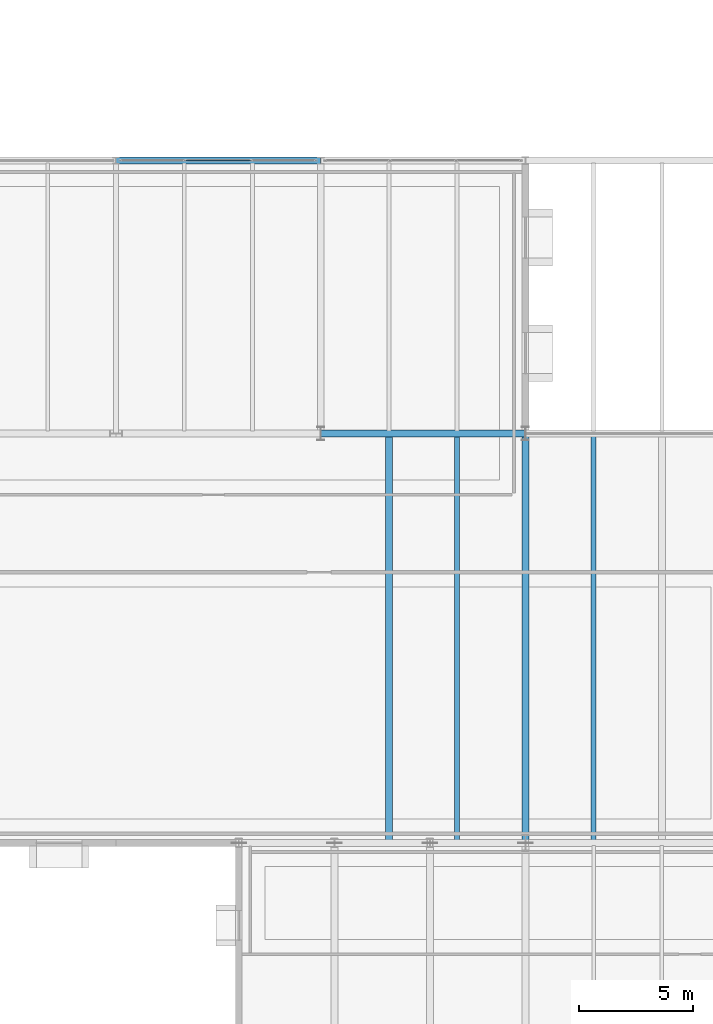
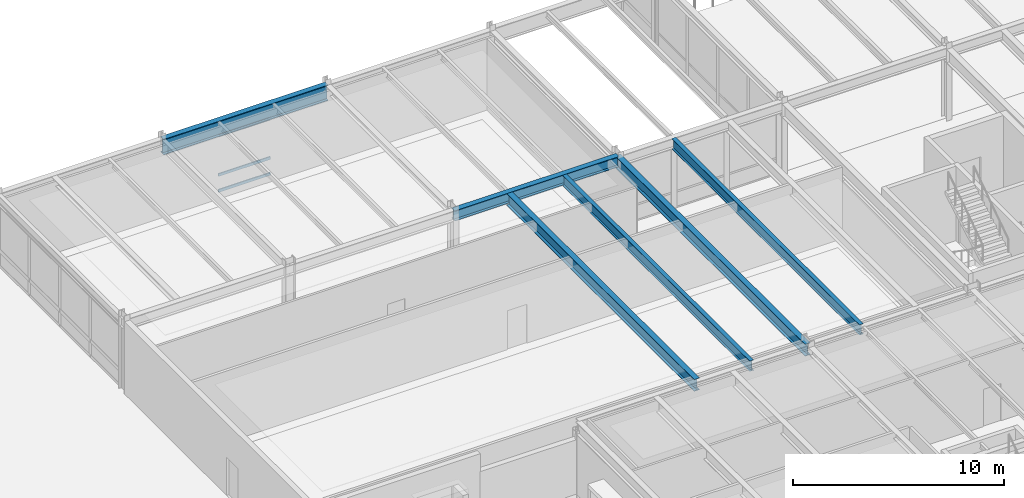
# One storey, part 24 of 127: 6 beams, 3 members, 1 element without a shape of its own.
"""IFC4 building model written with IfcOpenShell, lengths in metres."""

import ifcopenshell
import ifcopenshell.guid

model = None  # the IFC model being written
_history = None  # IfcOwnerHistory: only IFC2X3 demands one
_inside = {}  # id of a spatial element -> (the spatial element, [elements in it])
_under = {}  # id of a project, library or spatial element -> (it, [spatial elements below it])
_declared = {}  # id of a project -> (the project, [libraries it declares])
_typed = {}  # id of a type object -> (the type object, [elements of that type])
_made_of = {}  # id of a material, layer set ... -> (it, [elements and type objects made of it])


def new_model(schema):
    """Start an empty IFC model of exactly this schema.

    Asked for "IFC4X3", IfcOpenShell would pick the latest addendum, in which some entities
    have other attributes; the version numbers below select the first issue.
    IFC2X3 requires an IfcOwnerHistory on every rooted entity: one is made here for all.
    """
    global model, _history
    if schema == "IFC4X3":
        model = ifcopenshell.file(schema_version=(4, 3, 0, 0))
    else:
        model = ifcopenshell.file(schema=schema)
    _inside.clear()
    _under.clear()
    _declared.clear()
    _typed.clear()
    _made_of.clear()
    _history = None
    if model.schema == "IFC2X3":
        org = make("IfcOrganization", Name="unknown")
        user = make(
            "IfcPersonAndOrganization",
            ThePerson=make("IfcPerson", FamilyName="unknown"),
            TheOrganization=org,
        )
        app = make(
            "IfcApplication",
            ApplicationDeveloper=org,
            Version="unknown",
            ApplicationFullName="unknown",
            ApplicationIdentifier="unknown",
        )
        _history = make(
            "IfcOwnerHistory",
            OwningUser=user,
            OwningApplication=app,
            ChangeAction="ADDED",
            CreationDate=0,
        )
    return model


def make(cls, **values):
    """One entity of the class cls with the attributes given. An attribute that is None is left unset."""
    return model.create_entity(
        cls, **{name: value for name, value in values.items() if value is not None}
    )


def rooted(cls, **values):
    """An entity with a GlobalId (a new one), such as an element, a storey or a relation."""
    return make(cls, GlobalId=ifcopenshell.guid.new(), OwnerHistory=_history, **values)


def si_unit(unit_type, name, prefix=None):
    """IfcSIUnit, for example si_unit("LENGTHUNIT", "METRE", prefix="MILLI")."""
    return make("IfcSIUnit", UnitType=unit_type, Prefix=prefix, Name=name)


def assignment(units):
    """IfcUnitAssignment: the units of a project."""
    return None if units is None else make("IfcUnitAssignment", Units=units)


def point(xyz):
    """IfcCartesianPoint."""
    return None if xyz is None else make("IfcCartesianPoint", Coordinates=xyz)


def direction(xyz):
    """IfcDirection."""
    return None if xyz is None else make("IfcDirection", DirectionRatios=xyz)


def frame(location, z_axis=None, x_axis=None):
    """IfcAxis2Placement3D, a coordinate frame: its origin and axes. An axis left out is left unset."""
    return make(
        "IfcAxis2Placement3D",
        Location=point(location),
        Axis=direction(z_axis),
        RefDirection=direction(x_axis),
    )


def frame_2d(location, x_axis=None):
    """IfcAxis2Placement2D, a coordinate frame in the plane: its origin and x axis."""
    return make(
        "IfcAxis2Placement2D", Location=point(location), RefDirection=direction(x_axis)
    )


def origin():
    """The frame at (0, 0, 0) with its axes left unset."""
    return frame((0.0, 0.0, 0.0))


def origin_2d():
    """The frame at (0, 0) in the plane with its x axis left unset."""
    return frame_2d((0.0, 0.0))


def place(relative_to, where):
    """IfcLocalPlacement: puts the frame where relative to a parent placement (None: the world)."""
    return make(
        "IfcLocalPlacement", PlacementRelTo=relative_to, RelativePlacement=where
    )


def context(
    kind, dimensions, precision=None, world=None, true_north=None, identifier=None
):
    """IfcGeometricRepresentationContext, for example the 3D "Model" context."""
    return make(
        "IfcGeometricRepresentationContext",
        ContextIdentifier=identifier,
        ContextType=kind,
        CoordinateSpaceDimension=dimensions,
        Precision=precision,
        WorldCoordinateSystem=world,
        TrueNorth=true_north,
    )


def subcontext(parent, identifier, kind, view, scale=None):
    """IfcGeometricRepresentationSubContext, for example "Body" below "Model"."""
    return make(
        "IfcGeometricRepresentationSubContext",
        ContextIdentifier=identifier,
        ContextType=kind,
        ParentContext=parent,
        TargetScale=scale,
        TargetView=view,
    )


def project(units=None, contexts=None):
    """IfcProject with its units and contexts."""
    return rooted(
        "IfcProject",
        Name="project",
        RepresentationContexts=contexts,
        UnitsInContext=assignment(units),
    )


def spatial(cls, under=None, at=None, **own):
    """A site, building, storey or space (cls), placed at a placement, below another one or the project."""
    s = rooted(cls, ObjectPlacement=at, **own)
    if under is not None:
        _under.setdefault(under.id(), (under, []))[1].append(s)
    return s


def profile(cls, at=None, kind="AREA", **sizes):
    """A parametric profile (cls). Its sizes go by their IFC names, for example OverallWidth=200.0."""
    return make(cls, ProfileType=kind, Position=at, **sizes)


def hollow_rectangle(**sizes):
    """IfcRectangleHollowProfileDef."""
    return profile("IfcRectangleHollowProfileDef", **sizes)


def i_section(**sizes):
    """IfcIShapeProfileDef."""
    return profile("IfcIShapeProfileDef", **sizes)


def extrude(swept, where, along, depth):
    """IfcExtrudedAreaSolid: the profile swept, set in the frame where, extruded along a direction by depth."""
    return make(
        "IfcExtrudedAreaSolid",
        SweptArea=swept,
        Position=where,
        ExtrudedDirection=direction(along),
        Depth=depth,
    )


def shape(context_of_items, identifier, shape_type, items):
    """IfcShapeRepresentation: the items that make up one representation, for example the "Body"."""
    return make(
        "IfcShapeRepresentation",
        ContextOfItems=context_of_items,
        RepresentationIdentifier=identifier,
        RepresentationType=shape_type,
        Items=items,
    )


def material(Name=None, Category=None):
    """IfcMaterial."""
    return make("IfcMaterial", Name=Name, Category=Category)


def layer(
    of_material, thickness, ventilated=None, Name=None, Category=None, Priority=None
):
    """IfcMaterialLayer: one layer of a wall or slab, of a material (None: an air gap)."""
    return make(
        "IfcMaterialLayer",
        Material=of_material,
        LayerThickness=thickness,
        IsVentilated=ventilated,
        Name=Name,
        Category=Category,
        Priority=Priority,
    )


def layer_set(layers, Name=None):
    """IfcMaterialLayerSet."""
    return make("IfcMaterialLayerSet", MaterialLayers=layers, LayerSetName=Name)


def material_profile(
    of_material, cross_section, Name=None, Category=None, Priority=None
):
    """IfcMaterialProfile: a cross section and its material."""
    return make(
        "IfcMaterialProfile",
        Name=Name,
        Material=of_material,
        Profile=cross_section,
        Priority=Priority,
        Category=Category,
    )


def profile_set(profiles, Name=None, composite=None):
    """IfcMaterialProfileSet."""
    return make(
        "IfcMaterialProfileSet",
        Name=Name,
        MaterialProfiles=profiles,
        CompositeProfile=composite,
    )


def made_of(thing, what):
    """Note that an element or type object is made of a material, layer set ...; save() writes the relation."""
    if what is not None:
        _made_of.setdefault(what.id(), (what, []))[1].append(thing)
    return thing


def type_object(cls, material=None, **own):
    """A type object (cls), such as IfcWallType, which elements share."""
    return made_of(rooted(cls, **own), material)


def element(
    cls,
    number,
    at=None,
    inside=None,
    cuts=None,
    type_object=None,
    material=None,
    context=None,
    identifier="Body",
    shape_type=None,
    held_by="IfcProductDefinitionShape",
    body=None,
    shapes=None,
    **own,
):
    """One element of the class cls, such as IfcWall. Its Tag is "e" and its number.

    at: its placement. inside: the storey or other place that contains it. cuts: it is an
    opening in that element (IfcRelVoidsElement). A single representation is given by context,
    identifier, shape_type and body (its items); several are given by shapes. held_by: the class
    of the entity that holds the representations. save() writes the other relations.
    """
    e = rooted(cls, Tag="e%d" % number, ObjectPlacement=at, **own)
    if body is not None:
        shapes = [shape(context, identifier, shape_type, body)]
    if shapes is not None:
        e.Representation = make(held_by, Representations=shapes)
    if inside is not None:
        _inside.setdefault(inside.id(), (inside, []))[1].append(e)
    if cuts is not None:
        rooted(
            "IfcRelVoidsElement", RelatingBuildingElement=cuts, RelatedOpeningElement=e
        )
    if type_object is not None:
        _typed.setdefault(type_object.id(), (type_object, []))[1].append(e)
    return made_of(e, material)


def aggregate(whole, parts):
    """IfcRelAggregates: a whole, such as a stair, and the parts it consists of."""
    return rooted("IfcRelAggregates", RelatingObject=whole, RelatedObjects=parts)


def save(model, path):
    """Write the relations noted so far, then the file.

    IfcRelAggregates (storeys below a building ...), IfcRelContainedInSpatialStructure (elements
    in a storey), IfcRelDefinesByType, IfcRelAssociatesMaterial and IfcRelDeclares: one each for
    every whole, place, type object, material and project.
    """
    for whole, parts in _under.values():
        aggregate(whole, parts)
    for where, things in _inside.values():
        rooted(
            "IfcRelContainedInSpatialStructure",
            RelatedElements=things,
            RelatingStructure=where,
        )
    for kind, things in _typed.values():
        rooted("IfcRelDefinesByType", RelatedObjects=things, RelatingType=kind)
    for what, things in _made_of.values():
        rooted("IfcRelAssociatesMaterial", RelatedObjects=things, RelatingMaterial=what)
    for by, libraries in _declared.values():
        rooted("IfcRelDeclares", RelatingContext=by, RelatedDefinitions=libraries)
    model.write(path)


model = new_model("IFC4")

# Units and contexts
model_context = context("Model", 3, precision=1e-05, world=origin(), true_north=direction((0.0, 1.0)))
body_context = subcontext(model_context, "Body", "Model", "MODEL_VIEW")
ifc_project = project(units=[si_unit("LENGTHUNIT", "METRE"), si_unit("AREAUNIT", "SQUARE_METRE"), si_unit("VOLUMEUNIT", "CUBIC_METRE"), si_unit("PLANEANGLEUNIT", "RADIAN"), si_unit("MASSUNIT", "GRAM", prefix="KILO")], contexts=[model_context])

# Site, building, storey
site_placement = place(None, origin())
site = spatial("IfcSite", under=ifc_project, at=site_placement, CompositionType="ELEMENT")
building_placement = place(site_placement, origin())
building = spatial("IfcBuilding", under=site, at=building_placement, Name="Montelvaro Courts of Justice", CompositionType="ELEMENT")
storey_placement = place(building_placement, frame((0.0, 0.0, 5.39990234375)))
storey = spatial("IfcBuildingStorey", under=building, at=storey_placement, Name="L01", CompositionType="ELEMENT", Elevation=5.39990234375)

# Beams
ifc_material_1 = material(Name="Steel S355", Category="steel")
ifc_material_profile_1 = material_profile(ifc_material_1, i_section(OverallWidth=0.300048828125, OverallDepth=0.68994140625, WebThickness=0.014404296875, FlangeThickness=0.027099609375, at=origin_2d()), Name="HEA 700")
ifc_profile_set_1 = profile_set([ifc_material_profile_1], Name="Steel S355")
beam_type_1 = type_object("IfcBeamType", Name="Beam_HEA700", PredefinedType="USERDEFINED", material=ifc_profile_set_1)
beam_1_placement = place(storey_placement, frame((45.0, 24.0, 3.815185546875), z_axis=(0.0, 1.0, 0.0), x_axis=(-1.0, 0.0, 0.0)))
element("IfcBeam", 1, at=beam_1_placement, inside=storey, type_object=beam_type_1, Name="Beam B-23 L01", ObjectType="GIRDER", PredefinedType="USERDEFINED", context=body_context, shape_type="SweptSolid", body=[
    extrude(i_section(OverallWidth=0.300048828125, OverallDepth=0.68994140625, WebThickness=0.014404296875, FlangeThickness=0.027099609375, at=origin_2d()), origin(), (0.0, 0.0, 1.0), 18.0),
])
beam_2_placement = place(storey_placement, frame((39.0, 24.110107421875, 3.815185546875), z_axis=(0.0, 1.0, 0.0), x_axis=(-1.0, 0.0, 0.0)))
element("IfcBeam", 2, at=beam_2_placement, inside=storey, type_object=beam_type_1, Name="Beam B-23 L01", ObjectType="GIRDER", PredefinedType="USERDEFINED", context=body_context, shape_type="SweptSolid", body=[
    extrude(i_section(OverallWidth=0.300048828125, OverallDepth=0.68994140625, WebThickness=0.014404296875, FlangeThickness=0.027099609375, at=origin_2d()), origin(), (0.0, 0.0, 1.0), 17.77978515625),
])
ifc_material_profile_2 = material_profile(ifc_material_1, i_section(OverallWidth=0.300048828125, OverallDepth=0.60009765625, WebThickness=0.015380859375, FlangeThickness=0.030029296875, at=origin_2d()), Name="HEB 600")
ifc_profile_set_2 = profile_set([ifc_material_profile_2], Name="Steel S355")
beam_type_2 = type_object("IfcBeamType", Name="Beam_HEB600", PredefinedType="USERDEFINED", material=ifc_profile_set_2)
beam_3_placement = place(storey_placement, frame((36.0, 42.0, 3.860107421875), z_axis=(1.0, 0.0, 0.0), x_axis=(0.0, 1.0, 0.0)))
element("IfcBeam", 3, at=beam_3_placement, inside=storey, type_object=beam_type_2, Name="Beam B-26 L01", ObjectType="GIRDER", PredefinedType="USERDEFINED", context=body_context, shape_type="SweptSolid", body=[
    extrude(i_section(OverallWidth=0.300048828125, OverallDepth=0.60009765625, WebThickness=0.015380859375, FlangeThickness=0.030029296875, at=origin_2d()), origin(), (0.0, 0.0, 1.0), 9.0),
])
ifc_material_profile_3 = material_profile(ifc_material_1, i_section(OverallWidth=0.300048828125, OverallDepth=0.89990234375, WebThickness=0.0185546875, FlangeThickness=0.034912109375, at=origin_2d()), Name="HEB 900")
ifc_profile_set_3 = profile_set([ifc_material_profile_3], Name="Steel S355")
beam_type_3 = type_object("IfcBeamType", Name="Beam_HEB900", PredefinedType="USERDEFINED", material=ifc_profile_set_3)
beam_4_placement = place(storey_placement, frame((27.0, 54.0, 3.710205078125), z_axis=(1.0, 0.0, 0.0), x_axis=(0.0, 1.0, 0.0)))
element("IfcBeam", 4, at=beam_4_placement, inside=storey, type_object=beam_type_3, Name="Beam B-30 L01", ObjectType="GIRDER", PredefinedType="USERDEFINED", context=body_context, shape_type="SweptSolid", body=[
    extrude(i_section(OverallWidth=0.300048828125, OverallDepth=0.89990234375, WebThickness=0.0185546875, FlangeThickness=0.034912109375, at=origin_2d()), origin(), (0.0, 0.0, 1.0), 9.0),
])
ifc_material_profile_4 = material_profile(ifc_material_1, i_section(OverallWidth=0.219970703125, OverallDepth=0.60009765625, WebThickness=0.011962890625, FlangeThickness=0.01904296875, at=origin_2d()), Name="IPE 600")
ifc_profile_set_4 = profile_set([ifc_material_profile_4], Name="Steel S355")
beam_type_4 = type_object("IfcBeamType", Name="Beam_IPE600", PredefinedType="USERDEFINED", material=ifc_profile_set_4)
for number, where, z_axis, x_axis, name in (
    (5, (42.0, 24.110107421875, 3.860107421875), (0.0, 1.0, 0.0), (-1.0, 0.0, 0.0), "Beam B-12 L01"),
    (6, (48.0, 24.110107421875, 3.860107421875), (0.0, 1.0, 0.0), (-1.0, 0.0, 0.0), "Beam B-12 L01"),
):
    element("IfcBeam", number, at=place(storey_placement, frame(where, z_axis=z_axis, x_axis=x_axis)), inside=storey, type_object=beam_type_4, Name=name, ObjectType="GIRDER", PredefinedType="USERDEFINED", context=body_context, shape_type="SweptSolid", body=[
        extrude(i_section(OverallWidth=0.219970703125, OverallDepth=0.60009765625, WebThickness=0.011962890625, FlangeThickness=0.01904296875, at=origin_2d()), origin(), (0.0, 0.0, 1.0), 17.77978515625),
    ])

# Curtain wall, members
ifc_material_2 = material(Name="Anodised aluminium EN AW-6063", Category="aluminium")
ifc_layer = layer(ifc_material_2, 0.159912109375)
ifc_layer_set = layer_set([ifc_layer], Name="Anodised aluminium EN AW-6063")
curtain_wall_type = type_object("IfcCurtainWallType", Name="CurtainWall_18_868x418", PredefinedType="USERDEFINED", material=ifc_layer_set)
curtain_wall_placement = place(storey_placement, origin())
curtain_wall = element("IfcCurtainWall", 7, at=curtain_wall_placement, inside=storey, type_object=curtain_wall_type, Name="Curtain Wall CW-18 (L01)", ObjectType="CURTAIN WALL", PredefinedType="USERDEFINED")
ifc_material_profile_5 = material_profile(ifc_material_2, hollow_rectangle(XDim=0.06005859375, YDim=0.159912109375, WallThickness=0.00439453125, at=origin_2d()), Name="ALU-T 60x160")
ifc_profile_set_5 = profile_set([ifc_material_profile_5], Name="Anodised aluminium EN AW-6063")
member_type = type_object("IfcMemberType", Name="CurtainWall_Transom_60x160", PredefinedType="USERDEFINED", material=ifc_profile_set_5)
member_1_placement = place(storey_placement, frame((32.91162109375, 54.0, 0.030029296875), z_axis=(-1.0, 0.0, 0.0), x_axis=(0.0, -1.0, 0.0)))
member_1 = element("IfcMember", 8, at=member_1_placement, type_object=member_type, Name="CW-18 transom 2.1", ObjectType="TRANSOM", PredefinedType="USERDEFINED", context=body_context, shape_type="SweptSolid", body=[
    extrude(hollow_rectangle(XDim=0.06005859375, YDim=0.159912109375, WallThickness=0.00439453125, at=origin_2d()), origin(), (0.0, 0.0, 1.0), 2.833251953125),
])
member_2_placement = place(storey_placement, frame((32.91162109375, 54.0, 0.9501953125), z_axis=(-1.0, 0.0, 0.0), x_axis=(0.0, -1.0, 0.0)))
member_2 = element("IfcMember", 9, at=member_2_placement, type_object=member_type, Name="CW-18 transom 2.2", ObjectType="TRANSOM", PredefinedType="USERDEFINED", context=body_context, shape_type="SweptSolid", body=[
    extrude(hollow_rectangle(XDim=0.06005859375, YDim=0.159912109375, WallThickness=0.00439453125, at=origin_2d()), origin(), (0.0, 0.0, 1.0), 2.833251953125),
])
member_3_placement = place(storey_placement, frame((32.91162109375, 54.0, 3.22509765625), z_axis=(-1.0, 0.0, 0.0), x_axis=(0.0, -1.0, 0.0)))
member_3 = element("IfcMember", 10, at=member_3_placement, type_object=member_type, Name="CW-18 transom 2.3", ObjectType="TRANSOM", PredefinedType="USERDEFINED", context=body_context, shape_type="SweptSolid", body=[
    extrude(hollow_rectangle(XDim=0.06005859375, YDim=0.159912109375, WallThickness=0.00439453125, at=origin_2d()), origin(), (0.0, 0.0, 1.0), 2.833251953125),
])
aggregate(curtain_wall, [member_1, member_2, member_3])

save(model, "model.ifc")
